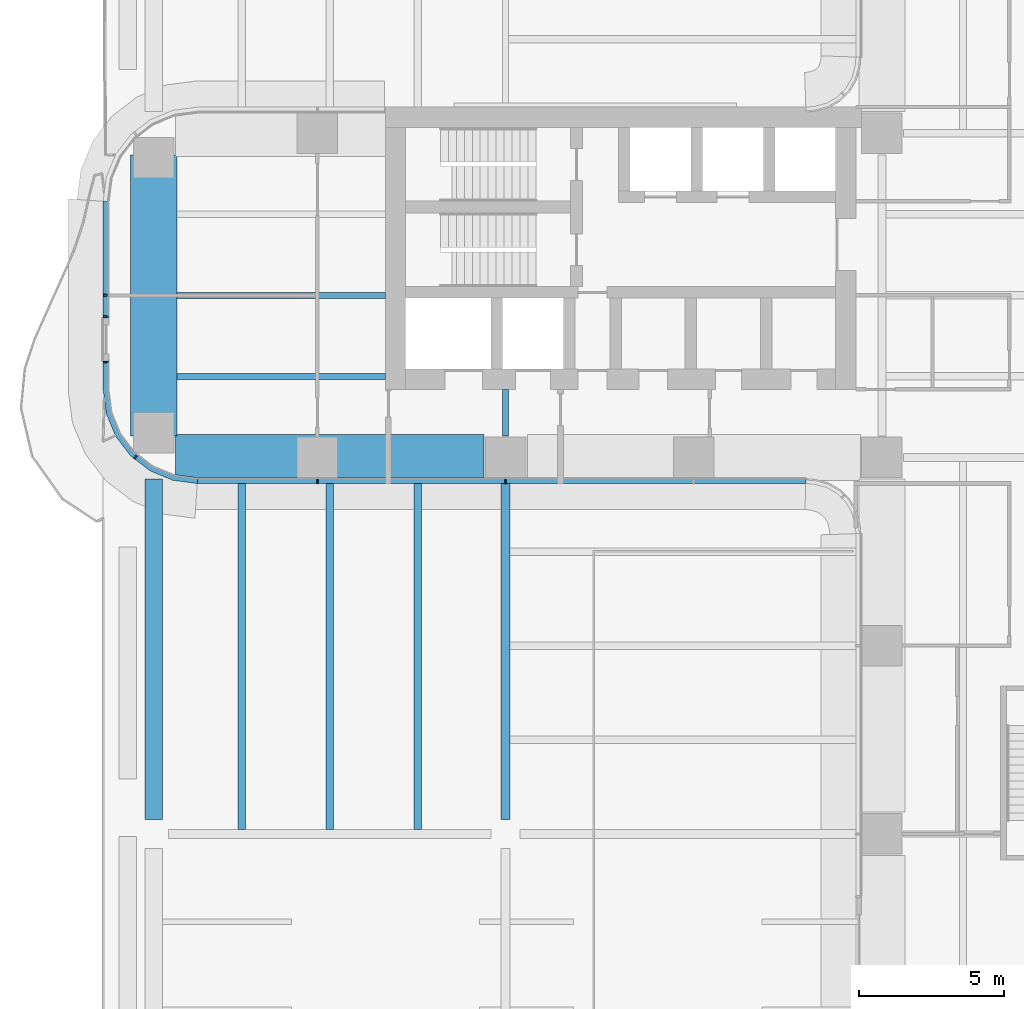
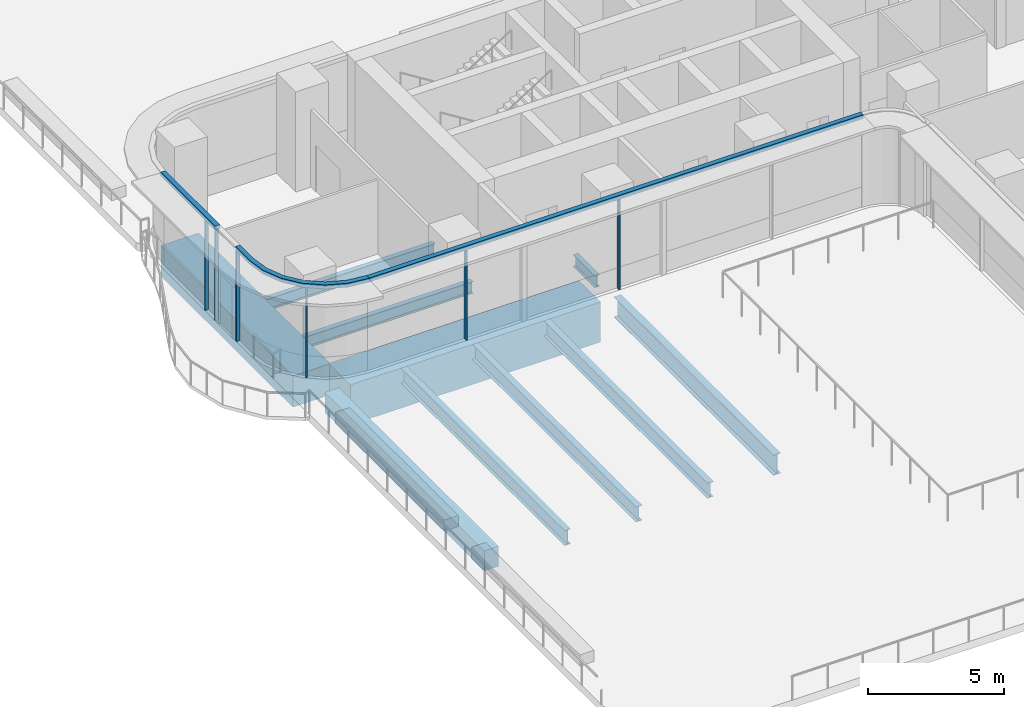
# One storey, part 3 of 29: 10 beams, 9 members, 3 elements without a shape of their own.
"""IFC4 building model written with IfcOpenShell, lengths in metres."""

from ifc_helpers import new_model, si_unit, direction, frame, origin, origin_2d, place, context, subcontext, project, spatial, polyline, rectangle, i_section, outline, extrude, source, transform, mapped, material, layer, layer_set, material_profile, profile_set, type_object, element, aggregate, save


model = new_model("IFC4")

# Units and contexts
model_context = context("Model", 3, precision=1e-05, world=origin(), true_north=direction((0.0, 1.0)))
body_context = subcontext(model_context, "Body", "Model", "MODEL_VIEW")
ifc_project = project(units=[si_unit("LENGTHUNIT", "METRE"), si_unit("AREAUNIT", "SQUARE_METRE"), si_unit("VOLUMEUNIT", "CUBIC_METRE"), si_unit("PLANEANGLEUNIT", "RADIAN"), si_unit("MASSUNIT", "GRAM", prefix="KILO")], contexts=[model_context])

# Site, building, storey
site_placement = place(None, origin())
site = spatial("IfcSite", under=ifc_project, at=site_placement, CompositionType="ELEMENT")
building_placement = place(site_placement, origin())
building = spatial("IfcBuilding", under=site, at=building_placement, Name="Trellis Farm Tower", CompositionType="ELEMENT")
storey_placement = place(building_placement, frame((0.0, 0.0, 34.0)))
storey = spatial("IfcBuildingStorey", under=building, at=storey_placement, Name="L06", CompositionType="ELEMENT", Elevation=34.0)

# Curtain wall, member
ifc_material_1 = material(Name="Aluminium and glass curtain wall", Category="aluminium")
ifc_layer_1 = layer(ifc_material_1, 0.18994140625)
ifc_layer_set_1 = layer_set([ifc_layer_1], Name="RIBBON CURTAIN WALL CW1")
curtain_wall_type = type_object("IfcCurtainWallType", Name="RIBBON CURTAIN WALL CW1", PredefinedType="NOTDEFINED", material=ifc_layer_set_1)
placement_1 = place(storey_placement, origin())
curtain_wall_1 = element("IfcCurtainWall", 1, at=placement_1, inside=storey, type_object=curtain_wall_type, Name="CW1 015", PredefinedType="NOTDEFINED")
ifc_material_2 = material(Name="Aluminium extrusion 6063-T6", Category="aluminium")
ifc_layer_2 = layer(ifc_material_2, 0.199951171875)
ifc_layer_set_2 = layer_set([ifc_layer_2], Name="Aluminium extrusion 6063-T6")
member_type_1 = type_object("IfcMemberType", Name="CW1 TRANSOM 200x180", PredefinedType="USERDEFINED", material=ifc_layer_set_2)
placement_2 = place(storey_placement, frame((0.0, 0.0, 4.070068359375)))
member_1 = element("IfcMember", 2, at=placement_2, type_object=member_type_1, Name="TR1 015", ObjectType="TRANSOM", PredefinedType="USERDEFINED", context=body_context, shape_type="SweptSolid", body=[
    extrude(outline(polyline([(-32.5, 3.25), (-32.5, -0.77001953125), (-32.300048828125, -0.77001953125), (-32.300048828125, 3.23681640625), (-32.5, 3.25)])), origin(), (0.0, 0.0, 1.0), 0.179931640625),
])

curtain_wall_2 = element("IfcCurtainWall", 3, at=placement_1, inside=storey, type_object=curtain_wall_type, Name="CW1 016", PredefinedType="NOTDEFINED")
member_2 = element("IfcMember", 4, at=placement_2, type_object=member_type_1, Name="TR1 016", ObjectType="TRANSOM", PredefinedType="USERDEFINED", context=body_context, shape_type="SweptSolid", body=[
    extrude(outline(polyline([(-32.5, -2.27001953125), (-32.5, -3.25), (-32.38916015625, -4.091064453125), (-32.064697265625, -4.875), (-31.548095703125, -5.548095703125), (-30.875, -6.064697265625), (-30.091064453125, -6.38916015625), (-29.25, -6.5), (-29.23681640625, -6.300048828125), (-30.0390625, -6.1943359375), (-30.774169921875, -5.889892578125), (-31.405517578125, -5.405517578125), (-31.889892578125, -4.774169921875), (-32.1943359375, -4.0390625), (-32.300048828125, -3.23681640625), (-32.300048828125, -2.27001953125), (-32.5, -2.27001953125)])), origin(), (0.0, 0.0, 1.0), 0.179931640625),
])

# Beams
ifc_material_3 = material(Name="Steel S355", Category="steel")
ifc_material_profile_1 = material_profile(ifc_material_3, i_section(OverallWidth=0.209228515625, OverallDepth=0.533203125, WebThickness=0.010009765625, FlangeThickness=0.015625, FilletRadius=0.0126953125, at=origin_2d()), Name="UB 533x210x92")
ifc_profile_set_1 = profile_set([ifc_material_profile_1], Name="Steel S355")
beam_type_1 = type_object("IfcBeamType", Name="UB 533x210x92", PredefinedType="BEAM", material=ifc_profile_set_1)
shared_shape_1 = source(origin(), body_context, "Body", "SweptSolid", [
    extrude(i_section(OverallWidth=0.209228515625, OverallDepth=0.533203125, WebThickness=0.010009765625, FlangeThickness=0.015625, FilletRadius=0.0126953125, at=origin_2d()), origin(), (0.0, 0.0, 1.0), 1.60009765625),
])
beam_1_placement = place(storey_placement, frame((-18.60009765625, -4.85009765625, -0.61669921875), z_axis=(0.0, 1.0, 0.0), x_axis=(-1.0, 0.0, 0.0)))
element("IfcBeam", 5, at=beam_1_placement, inside=storey, type_object=beam_type_1, Name="Girder", PredefinedType="BEAM", context=body_context, shape_type="MappedRepresentation", body=[
    mapped(shared_shape_1, transform((0.0, 0.0, 0.0))),
])
ifc_material_profile_2 = material_profile(ifc_material_3, i_section(OverallWidth=0.305419921875, OverallDepth=0.91845703125, WebThickness=0.017333984375, FlangeThickness=0.02783203125, FilletRadius=0.01904296875, at=origin_2d()), Name="UB 914x305x253")
ifc_profile_set_2 = profile_set([ifc_material_profile_2], Name="Steel S355")
beam_type_2 = type_object("IfcBeamType", Name="UB 914x305x253", PredefinedType="BEAM", material=ifc_profile_set_2)
shared_shape_2 = source(origin(), body_context, "Body", "SweptSolid", [
    extrude(i_section(OverallWidth=0.305419921875, OverallDepth=0.91845703125, WebThickness=0.017333984375, FlangeThickness=0.02783203125, FilletRadius=0.01904296875, at=origin_2d()), origin(), (0.0, 0.0, 1.0), 11.75),
])
beam_2_placement = place(storey_placement, frame((-18.60009765625, -18.10009765625, -0.80908203125), z_axis=(0.0, 1.0, 0.0), x_axis=(-1.0, 0.0, 0.0)))
element("IfcBeam", 6, at=beam_2_placement, inside=storey, type_object=beam_type_2, Name="Girder", PredefinedType="BEAM", context=body_context, shape_type="MappedRepresentation", body=[
    mapped(shared_shape_2, transform((0.0, 0.0, 0.0))),
])
ifc_material_4 = material(Name="Concrete C60/75", Category="concrete")
ifc_material_profile_3 = material_profile(ifc_material_4, rectangle(XDim=0.60009765625, YDim=0.89990234375, at=origin_2d()), Name="RC spandrel beam 600x900 C60/75")
ifc_profile_set_3 = profile_set([ifc_material_profile_3], Name="Concrete C60/75")
beam_type_3 = type_object("IfcBeamType", Name="RC spandrel beam 600x900 C60/75", PredefinedType="SPANDREL", material=ifc_profile_set_3)
shared_shape_3 = source(origin(), body_context, "Body", "SweptSolid", [
    extrude(rectangle(XDim=0.60009765625, YDim=0.89990234375, at=origin_2d()), origin(), (0.0, 0.0, 1.0), 11.75),
])
beam_3_placement = place(storey_placement, frame((-30.75, -18.10009765625, -0.800048828125), z_axis=(0.0, 1.0, 0.0), x_axis=(-1.0, 0.0, 0.0)))
element("IfcBeam", 7, at=beam_3_placement, inside=storey, type_object=beam_type_3, Name="Girder", PredefinedType="SPANDREL", context=body_context, shape_type="MappedRepresentation", body=[
    mapped(shared_shape_3, transform((0.0, 0.0, 0.0))),
])
ifc_material_5 = material(Name="Concrete C80/95", Category="concrete")
ifc_material_profile_4 = material_profile(ifc_material_5, rectangle(XDim=1.60009765625, YDim=1.800048828125, at=origin_2d()), Name="RC transfer beam 1600x1800 C80/95")
ifc_profile_set_4 = profile_set([ifc_material_profile_4], Name="Concrete C80/95")
beam_type_4 = type_object("IfcBeamType", Name="RC transfer beam 1600x1800 C80/95", PredefinedType="BEAM", material=ifc_profile_set_4)
shared_shape_4 = source(origin(), body_context, "Body", "SweptSolid", [
    extrude(rectangle(XDim=1.60009765625, YDim=1.800048828125, at=origin_2d()), origin(), (0.0, 0.0, 1.0), 10.64990234375),
])
beam_4_placement = place(storey_placement, frame((-30.0, -5.60009765625, -1.25), z_axis=(1.0, 0.0, 0.0), x_axis=(0.0, 1.0, 0.0)))
element("IfcBeam", 8, at=beam_4_placement, inside=storey, type_object=beam_type_4, Name="Transfer girder", PredefinedType="BEAM", context=body_context, shape_type="MappedRepresentation", body=[
    mapped(shared_shape_4, transform((0.0, 0.0, 0.0))),
])
ifc_material_profile_5 = material_profile(ifc_material_5, rectangle(XDim=1.60009765625, YDim=1.39990234375, at=origin_2d()), Name="RC transfer beam 1600x1400 C80/95")
ifc_profile_set_5 = profile_set([ifc_material_profile_5], Name="Concrete C80/95")
beam_type_5 = type_object("IfcBeamType", Name="RC transfer beam 1600x1400 C80/95", PredefinedType="BEAM", material=ifc_profile_set_5)
shared_shape_5 = source(origin(), body_context, "Body", "SweptSolid", [
    extrude(rectangle(XDim=1.60009765625, YDim=1.39990234375, at=origin_2d()), origin(), (0.0, 0.0, 1.0), 9.7001953125),
])
beam_5_placement = place(storey_placement, frame((-30.75, -4.85009765625, -1.050048828125), z_axis=(0.0, 1.0, 0.0), x_axis=(-1.0, 0.0, 0.0)))
element("IfcBeam", 9, at=beam_5_placement, inside=storey, type_object=beam_type_5, Name="Transfer girder", PredefinedType="BEAM", context=body_context, shape_type="MappedRepresentation", body=[
    mapped(shared_shape_5, transform((0.0, 0.0, 0.0))),
])
ifc_material_profile_6 = material_profile(ifc_material_3, i_section(OverallWidth=0.253662109375, OverallDepth=0.68359375, WebThickness=0.012451171875, FlangeThickness=0.021728515625, FilletRadius=0.01513671875, at=origin_2d()), Name="UB 686x254x140")
ifc_profile_set_6 = profile_set([ifc_material_profile_6], Name="Steel S355")
beam_type_6 = type_object("IfcBeamType", Name="UB 686x254x140 joist", PredefinedType="JOIST", material=ifc_profile_set_6)
shared_shape_6 = source(origin(), body_context, "Body", "SweptSolid", [
    extrude(i_section(OverallWidth=0.253662109375, OverallDepth=0.68359375, WebThickness=0.012451171875, FlangeThickness=0.021728515625, FilletRadius=0.01513671875, at=origin_2d()), origin(), (0.0, 0.0, 1.0), 12.04736328125),
])
for number, where, z_axis, x_axis, name in (
    (10, (-27.71240234375, -18.447265625, -0.691650390625), (0.0, 1.0, 0.0), (-1.0, 0.0, 0.0), "Floor beam"),
    (11, (-24.675048828125, -18.447265625, -0.691650390625), (0.0, 1.0, 0.0), (-1.0, 0.0, 0.0), "Floor beam"),
    (12, (-21.637451171875, -18.447265625, -0.691650390625), (0.0, 1.0, 0.0), (-1.0, 0.0, 0.0), "Floor beam"),
):
    element("IfcBeam", number, at=place(storey_placement, frame(where, z_axis=z_axis, x_axis=x_axis)), inside=storey, type_object=beam_type_6, Name=name, PredefinedType="JOIST", context=body_context, shape_type="MappedRepresentation", body=[
        mapped(shared_shape_6, transform((0.0, 0.0, 0.0))),
    ])
ifc_material_profile_7 = material_profile(ifc_material_3, i_section(OverallWidth=0.209228515625, OverallDepth=0.533203125, WebThickness=0.010009765625, FlangeThickness=0.015625, FilletRadius=0.0126953125, at=origin_2d()), Name="UB 533x210x92")
ifc_profile_set_7 = profile_set([ifc_material_profile_7], Name="Steel S355")
beam_type_7 = type_object("IfcBeamType", Name="UB 533x210x92 joist", PredefinedType="JOIST", material=ifc_profile_set_7)
shared_shape_7 = source(origin(), body_context, "Body", "SweptSolid", [
    extrude(i_section(OverallWidth=0.209228515625, OverallDepth=0.533203125, WebThickness=0.010009765625, FlangeThickness=0.015625, FilletRadius=0.0126953125, at=origin_2d()), origin(), (0.0, 0.0, 1.0), 7.199951171875),
])
for number, where, z_axis, x_axis, name in (
    (13, (-29.949951171875, -2.800048828125, -0.61669921875), (1.0, 0.0, 0.0), (0.0, 1.0, 0.0), "Floor beam"),
    (14, (-29.949951171875, 0.0, -0.61669921875), (1.0, 0.0, 0.0), (0.0, 1.0, 0.0), "Floor beam"),
):
    element("IfcBeam", number, at=place(storey_placement, frame(where, z_axis=z_axis, x_axis=x_axis)), inside=storey, type_object=beam_type_7, Name=name, PredefinedType="JOIST", context=body_context, shape_type="MappedRepresentation", body=[
        mapped(shared_shape_7, transform((0.0, 0.0, 0.0))),
    ])

# Curtain wall, members
curtain_wall_3 = element("IfcCurtainWall", 15, at=placement_1, inside=storey, type_object=curtain_wall_type, Name="CW1 001", PredefinedType="NOTDEFINED")
ifc_material_profile_8 = material_profile(ifc_material_2, rectangle(XDim=0.06005859375, YDim=0.14990234375, at=origin_2d()), Name="MULLION 60x150")
ifc_profile_set_8 = profile_set([ifc_material_profile_8], Name="Aluminium extrusion 6063-T6")
member_type_2 = type_object("IfcMemberType", Name="CW1 MULLION 60x150", PredefinedType="MULLION", material=ifc_profile_set_8)
shared_shape_8 = source(origin(), body_context, "Body", "SweptSolid", [
    extrude(rectangle(XDim=0.06005859375, YDim=0.14990234375, at=origin_2d()), origin(), (0.0, 0.0, 1.0), 4.070068359375),
])
member_3_placement = place(storey_placement, frame((-25.10009765625, -6.425048828125, 0.0), z_axis=(0.0, 0.0, 1.0), x_axis=(1.0, 0.0, 0.0)))
member_3 = element("IfcMember", 16, at=member_3_placement, type_object=member_type_2, Name="MU1 001-01", PredefinedType="MULLION", context=body_context, shape_type="MappedRepresentation", body=[
    mapped(shared_shape_8, transform((0.0, 0.0, 0.0))),
])
member_4_placement = place(storey_placement, frame((-18.60009765625, -6.425048828125, 0.0), z_axis=(0.0, 0.0, 1.0), x_axis=(1.0, 0.0, 0.0)))
member_4 = element("IfcMember", 17, at=member_4_placement, type_object=member_type_2, Name="MU1 001-02", PredefinedType="MULLION", context=body_context, shape_type="MappedRepresentation", body=[
    mapped(shared_shape_8, transform((0.0, 0.0, 0.0))),
])

# Member
member_5_placement = place(storey_placement, frame((-32.425048828125, 0.0, 0.0), z_axis=(0.0, 0.0, 1.0), x_axis=(0.0, -1.0, 0.0)))
member_5 = element("IfcMember", 18, at=member_5_placement, type_object=member_type_2, Name="MU1 015-01", PredefinedType="MULLION", context=body_context, shape_type="MappedRepresentation", body=[
    mapped(shared_shape_8, transform((0.0, 0.0, 0.0))),
])

member_6_placement = place(storey_placement, frame((-32.425048828125, -0.739990234375, 0.0), z_axis=(0.0, 0.0, 1.0), x_axis=(0.0, -1.0, 0.0)))
member_6 = element("IfcMember", 19, at=member_6_placement, type_object=member_type_2, Name="MU1 015-02", PredefinedType="MULLION", context=body_context, shape_type="MappedRepresentation", body=[
    mapped(shared_shape_8, transform((0.0, 0.0, 0.0))),
])

aggregate(curtain_wall_1, [member_5, member_6, member_1])

member_7_placement = place(storey_placement, frame((-32.425048828125, -2.300048828125, 0.0), z_axis=(0.0, 0.0, 1.0), x_axis=(0.0, -1.0, 0.0)))
member_7 = element("IfcMember", 20, at=member_7_placement, type_object=member_type_2, Name="MU1 016-01", PredefinedType="MULLION", context=body_context, shape_type="MappedRepresentation", body=[
    mapped(shared_shape_8, transform((0.0, 0.0, 0.0))),
])

member_8_placement = place(storey_placement, frame((-31.385498046875, -5.578369140625, 0.0), z_axis=(0.0, 0.0, 1.0), x_axis=(0.793353340291, -0.608761429009, 0.0)))
member_8 = element("IfcMember", 21, at=member_8_placement, type_object=member_type_2, Name="MU1 016-02", PredefinedType="MULLION", context=body_context, shape_type="MappedRepresentation", body=[
    mapped(shared_shape_8, transform((0.0, 0.0, 0.0))),
])

aggregate(curtain_wall_2, [member_7, member_8, member_2])

shared_shape_9 = source(origin(), body_context, "Body", "SweptSolid", [
    extrude(outline(polyline([(-29.25, -6.5), (-8.2314453125, -6.5), (-8.224853515625, -6.300048828125), (-29.23681640625, -6.300048828125), (-29.25, -6.5)])), origin(), (0.0, 0.0, 1.0), 0.179931640625),
])
member_9 = element("IfcMember", 22, at=placement_2, type_object=member_type_1, Name="TR1 001", ObjectType="TRANSOM", PredefinedType="USERDEFINED", context=body_context, shape_type="MappedRepresentation", body=[
    mapped(shared_shape_9, transform((0.0, 0.0, 0.0))),
])

aggregate(curtain_wall_3, [member_3, member_4, member_9])

save(model, "model.ifc")
